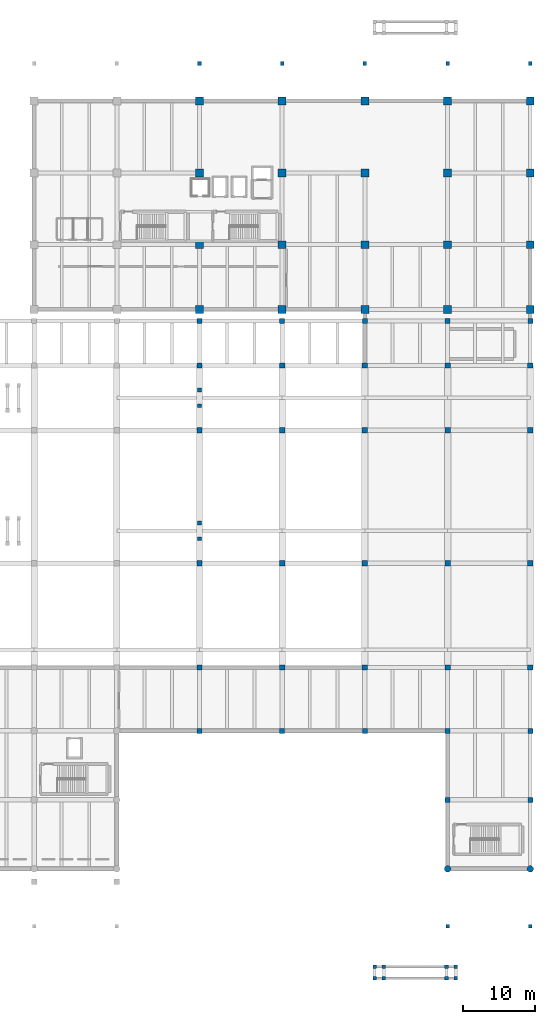
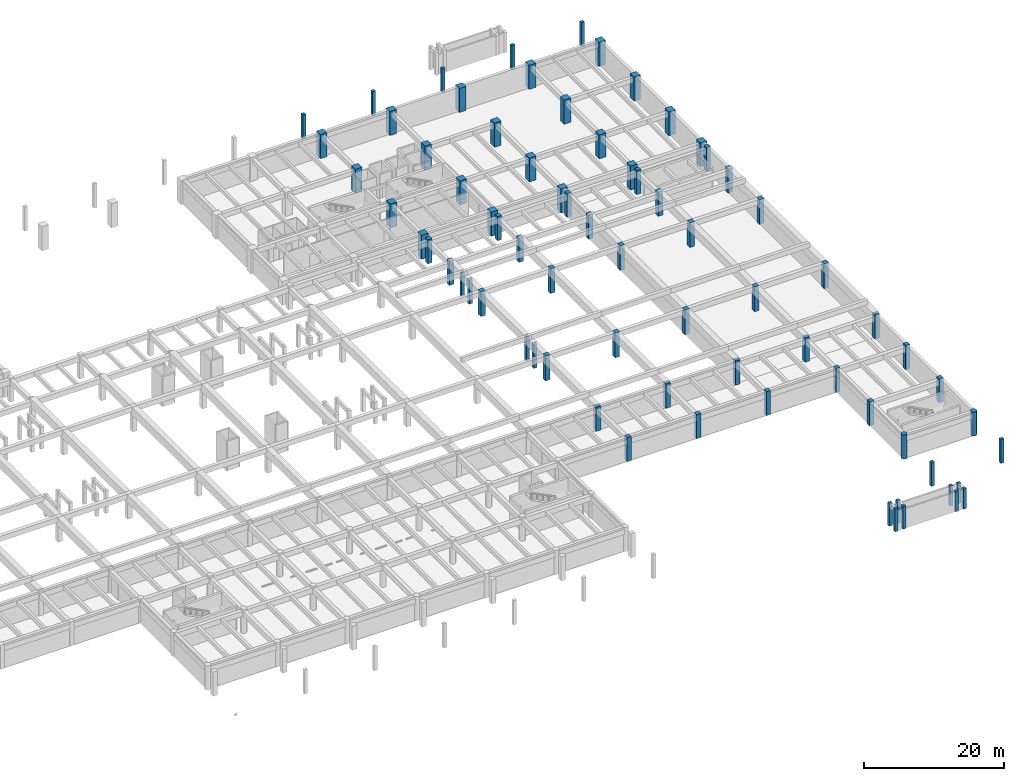
# One storey, part 2 of 20: 73 columns.
"""IFC4 building model written with IfcOpenShell, lengths in metres."""

from ifc_helpers import new_model, si_unit, direction, frame, origin, origin_2d, place, context, subcontext, project, spatial, rectangle, circle, extrude, material, material_profile, profile_set, type_object, element, save


model = new_model("IFC4")

# Units and contexts
model_context = context("Model", 3, precision=1e-05, world=origin(), true_north=direction((0.0, 1.0)))
body_context = subcontext(model_context, "Body", "Model", "MODEL_VIEW")
ifc_project = project(units=[si_unit("LENGTHUNIT", "METRE"), si_unit("AREAUNIT", "SQUARE_METRE"), si_unit("VOLUMEUNIT", "CUBIC_METRE"), si_unit("PLANEANGLEUNIT", "RADIAN"), si_unit("MASSUNIT", "GRAM", prefix="KILO")], contexts=[model_context])

# Site, building, storey
site_placement = place(None, origin())
site = spatial("IfcSite", under=ifc_project, at=site_placement, CompositionType="ELEMENT")
building_placement = place(site_placement, origin())
building = spatial("IfcBuilding", under=site, at=building_placement, Name="Ologun Quay Terminus", CompositionType="ELEMENT")
storey_placement = place(building_placement, frame((0.0, 0.0, -4.199951171875)))
storey = spatial("IfcBuildingStorey", under=building, at=storey_placement, Name="B01", CompositionType="ELEMENT", Elevation=-4.199951171875)

# Columns
ifc_material_1 = material(Name="Concrete C40/50", Category="concrete")
ifc_material_profile_1 = material_profile(ifc_material_1, rectangle(XDim=0.5, YDim=0.5, at=origin_2d()), Name="RC 500x500")
ifc_profile_set_1 = profile_set([ifc_material_profile_1], Name="Concrete C40/50")
column_type_1 = type_object("IfcColumnType", Name="Canopy Edge Column 500x500", PredefinedType="COLUMN", material=ifc_profile_set_1)
for number, where, z_axis, x_axis, name in (
    (1, (138.0, 120.0, 0.0), (0.0, 0.0, 1.0), (1.0, 0.0, 0.0), "C8 Column 13/L B01"),
    (2, (149.5, 120.0, 0.0), (0.0, 0.0, 1.0), (1.0, 0.0, 0.0), "C8 Column 14/L B01"),
    (3, (161.0, 120.0, 0.0), (0.0, 0.0, 1.0), (1.0, 0.0, 0.0), "C8 Column 15/L B01"),
    (4, (172.5, 0.0, 0.0), (0.0, 0.0, 1.0), (1.0, 0.0, 0.0), "C8 Column 16/A B01"),
    (5, (172.5, 120.0, 0.0), (0.0, 0.0, 1.0), (1.0, 0.0, 0.0), "C8 Column 16/L B01"),
    (6, (184.0, 0.0, 0.0), (0.0, 0.0, 1.0), (1.0, 0.0, 0.0), "C8 Column 17/A B01"),
    (7, (184.0, 120.0, 0.0), (0.0, 0.0, 1.0), (1.0, 0.0, 0.0), "C8 Column 17/L B01"),
):
    element("IfcColumn", number, at=place(storey_placement, frame(where, z_axis=z_axis, x_axis=x_axis)), inside=storey, type_object=column_type_1, Name=name, PredefinedType="COLUMN", context=body_context, shape_type="SweptSolid", body=[
        extrude(rectangle(XDim=0.5, YDim=0.5, at=origin_2d()), origin(), (0.0, 0.0, 1.0), 4.199951171875),
    ])
for number, where, z_axis, x_axis, name in (
    (8, (162.35009765625, -7.199951171875, 0.0), (0.0, 0.0, 1.0), (1.0, 0.0, 0.0), "C8 Ramp Landing Column 7WS B01"),
    (9, (162.35009765625, -5.60009765625, 0.0), (0.0, 0.0, 1.0), (1.0, 0.0, 0.0), "C8 Ramp Landing Column 7WN B01"),
    (10, (163.64990234375, -7.199951171875, 0.0), (0.0, 0.0, 1.0), (1.0, 0.0, 0.0), "C8 Ramp Landing Column 7ES B01"),
    (11, (163.64990234375, -5.60009765625, 0.0), (0.0, 0.0, 1.0), (1.0, 0.0, 0.0), "C8 Ramp Landing Column 7EN B01"),
):
    element("IfcColumn", number, at=place(storey_placement, frame(where, z_axis=z_axis, x_axis=x_axis)), inside=storey, type_object=column_type_1, Name=name, PredefinedType="COLUMN", context=body_context, shape_type="SweptSolid", body=[
        extrude(rectangle(XDim=0.5, YDim=0.5, at=origin_2d()), origin(), (0.0, 0.0, 1.0), 3.97998046875),
    ])
for number, where, z_axis, x_axis, name in (
    (12, (172.35009765625, -7.199951171875, 0.0), (0.0, 0.0, 1.0), (1.0, 0.0, 0.0), "C8 Ramp Landing Column 8WS B01"),
    (13, (172.35009765625, -5.60009765625, 0.0), (0.0, 0.0, 1.0), (1.0, 0.0, 0.0), "C8 Ramp Landing Column 8WN B01"),
    (14, (173.64990234375, -7.199951171875, 0.0), (0.0, 0.0, 1.0), (1.0, 0.0, 0.0), "C8 Ramp Landing Column 8ES B01"),
    (15, (173.64990234375, -5.60009765625, 0.0), (0.0, 0.0, 1.0), (1.0, 0.0, 0.0), "C8 Ramp Landing Column 8EN B01"),
):
    element("IfcColumn", number, at=place(storey_placement, frame(where, z_axis=z_axis, x_axis=x_axis)), inside=storey, type_object=column_type_1, Name=name, PredefinedType="COLUMN", context=body_context, shape_type="SweptSolid", body=[
        extrude(rectangle(XDim=0.5, YDim=0.5, at=origin_2d()), origin(), (0.0, 0.0, 1.0), 3.47998046875),
    ])
for number, where, z_axis, x_axis, name in (
    (16, (138.0, 53.89990234375, 0.0), (0.0, 0.0, 1.0), (1.0, 0.0, 0.0), "C8 Concourse Trimmer Column 13-1 B01"),
    (17, (138.0, 56.10009765625, 0.0), (0.0, 0.0, 1.0), (1.0, 0.0, 0.0), "C8 Concourse Trimmer Column 13-2 B01"),
    (18, (138.0, 72.39990234375, 0.0), (0.0, 0.0, 1.0), (1.0, 0.0, 0.0), "C8 Concourse Trimmer Column 13-3 B01"),
    (19, (138.0, 74.60009765625, 0.0), (0.0, 0.0, 1.0), (1.0, 0.0, 0.0), "C8 Concourse Trimmer Column 13-4 B01"),
):
    element("IfcColumn", number, at=place(storey_placement, frame(where, z_axis=z_axis, x_axis=x_axis)), inside=storey, type_object=column_type_1, Name=name, PredefinedType="COLUMN", context=body_context, shape_type="SweptSolid", body=[
        extrude(rectangle(XDim=0.5, YDim=0.5, at=origin_2d()), origin(), (0.0, 0.0, 1.0), 4.199951171875),
    ])
ifc_material_2 = material(Name="Concrete C45/55", Category="concrete")
ifc_material_profile_2 = material_profile(ifc_material_2, rectangle(XDim=1.10009765625, YDim=1.10009765625, at=origin_2d()), Name="RC 1100x1100")
ifc_profile_set_2 = profile_set([ifc_material_profile_2], Name="Concrete C45/55")
column_type_2 = type_object("IfcColumnType", Name="Courtyard Wing Lower Column 1100x1100", PredefinedType="COLUMN", material=ifc_profile_set_2)
for number, where, z_axis, x_axis, name in (
    (20, (138.0, 85.800048828125, 0.0), (0.0, 0.0, 1.0), (1.0, 0.0, 0.0), "C1 Column 13/G2 B01"),
    (21, (138.0, 94.800048828125, 0.0), (0.0, 0.0, 1.0), (1.0, 0.0, 0.0), "C1 Column 13/H B01"),
    (22, (138.0, 104.800048828125, 0.0), (0.0, 0.0, 1.0), (1.0, 0.0, 0.0), "C1 Column 13/J B01"),
    (23, (138.0, 114.800048828125, 0.0), (0.0, 0.0, 1.0), (1.0, 0.0, 0.0), "C1 Column 13/K B01"),
    (24, (149.5, 85.800048828125, 0.0), (0.0, 0.0, 1.0), (1.0, 0.0, 0.0), "C1 Column 14/G2 B01"),
    (25, (149.5, 94.800048828125, 0.0), (0.0, 0.0, 1.0), (1.0, 0.0, 0.0), "C1 Column 14/H B01"),
    (26, (149.5, 104.800048828125, 0.0), (0.0, 0.0, 1.0), (1.0, 0.0, 0.0), "C1 Column 14/J B01"),
    (27, (149.5, 114.800048828125, 0.0), (0.0, 0.0, 1.0), (1.0, 0.0, 0.0), "C1 Column 14/K B01"),
    (28, (161.0, 85.800048828125, 0.0), (0.0, 0.0, 1.0), (1.0, 0.0, 0.0), "C1 Column 15/G2 B01"),
    (29, (161.0, 94.800048828125, 0.0), (0.0, 0.0, 1.0), (1.0, 0.0, 0.0), "C1 Column 15/H B01"),
    (30, (161.0, 104.800048828125, 0.0), (0.0, 0.0, 1.0), (1.0, 0.0, 0.0), "C1 Column 15/J B01"),
    (31, (161.0, 114.800048828125, 0.0), (0.0, 0.0, 1.0), (1.0, 0.0, 0.0), "C1 Column 15/K B01"),
    (32, (172.5, 85.800048828125, 0.0), (0.0, 0.0, 1.0), (1.0, 0.0, 0.0), "C1 Column 16/G2 B01"),
    (33, (172.5, 94.800048828125, 0.0), (0.0, 0.0, 1.0), (1.0, 0.0, 0.0), "C1 Column 16/H B01"),
    (34, (172.5, 104.800048828125, 0.0), (0.0, 0.0, 1.0), (1.0, 0.0, 0.0), "C1 Column 16/J B01"),
    (35, (172.5, 114.800048828125, 0.0), (0.0, 0.0, 1.0), (1.0, 0.0, 0.0), "C1 Column 16/K B01"),
    (36, (184.0, 85.800048828125, 0.0), (0.0, 0.0, 1.0), (1.0, 0.0, 0.0), "C1 Column 17/G2 B01"),
    (37, (184.0, 94.800048828125, 0.0), (0.0, 0.0, 1.0), (1.0, 0.0, 0.0), "C1 Column 17/H B01"),
    (38, (184.0, 104.800048828125, 0.0), (0.0, 0.0, 1.0), (1.0, 0.0, 0.0), "C1 Column 17/J B01"),
    (39, (184.0, 114.800048828125, 0.0), (0.0, 0.0, 1.0), (1.0, 0.0, 0.0), "C1 Column 17/K B01"),
):
    element("IfcColumn", number, at=place(storey_placement, frame(where, z_axis=z_axis, x_axis=x_axis)), inside=storey, type_object=column_type_2, Name=name, PredefinedType="COLUMN", context=body_context, shape_type="SweptSolid", body=[
        extrude(rectangle(XDim=1.10009765625, YDim=1.10009765625, at=origin_2d()), origin(), (0.0, 0.0, 1.0), 4.199951171875),
    ])
ifc_material_3 = material(Name="Concrete C45/55", Category="concrete")
ifc_material_profile_3 = material_profile(ifc_material_3, rectangle(XDim=0.75, YDim=0.75, at=origin_2d()), Name="RC 750x750")
ifc_profile_set_3 = profile_set([ifc_material_profile_3], Name="Concrete C45/55")
column_type_3 = type_object("IfcColumnType", Name="Station Arch Pier Stem 750x750", PredefinedType="COLUMN", material=ifc_profile_set_3)
for number, where, z_axis, x_axis, name in (
    (40, (138.0, 36.0, 0.0), (0.0, 0.0, 1.0), (1.0, 0.0, 0.0), "C5 Column 13/E B01"),
    (41, (138.0, 78.0, 0.0), (0.0, 0.0, 1.0), (1.0, 0.0, 0.0), "C5 Column 13/F B01"),
    (42, (149.5, 36.0, 0.0), (0.0, 0.0, 1.0), (1.0, 0.0, 0.0), "C5 Column 14/E B01"),
    (43, (149.5, 78.0, 0.0), (0.0, 0.0, 1.0), (1.0, 0.0, 0.0), "C5 Column 14/F B01"),
    (44, (161.0, 36.0, 0.0), (0.0, 0.0, 1.0), (1.0, 0.0, 0.0), "C5 Column 15/E B01"),
    (45, (161.0, 78.0, 0.0), (0.0, 0.0, 1.0), (1.0, 0.0, 0.0), "C5 Column 15/F B01"),
    (46, (172.5, 36.0, 0.0), (0.0, 0.0, 1.0), (1.0, 0.0, 0.0), "C5 Column 16/E B01"),
    (47, (172.5, 78.0, 0.0), (0.0, 0.0, 1.0), (1.0, 0.0, 0.0), "C5 Column 16/F B01"),
    (48, (184.0, 36.0, 0.0), (0.0, 0.0, 1.0), (1.0, 0.0, 0.0), "C5 Column 17/E B01"),
    (49, (184.0, 78.0, 0.0), (0.0, 0.0, 1.0), (1.0, 0.0, 0.0), "C5 Column 17/F B01"),
):
    element("IfcColumn", number, at=place(storey_placement, frame(where, z_axis=z_axis, x_axis=x_axis)), inside=storey, type_object=column_type_3, Name=name, PredefinedType="COLUMN", context=body_context, shape_type="SweptSolid", body=[
        extrude(rectangle(XDim=0.75, YDim=0.75, at=origin_2d()), origin(), (0.0, 0.0, 1.0), 4.199951171875),
    ])
for number, where, z_axis, x_axis, name in (
    (50, (138.0, 50.5, 0.0), (0.0, 0.0, 1.0), (1.0, 0.0, 0.0), "C5 Track Substructure Column 13-Y50 B01"),
    (51, (138.0, 69.0, 0.0), (0.0, 0.0, 1.0), (1.0, 0.0, 0.0), "C5 Track Substructure Column 13-Y69 B01"),
    (52, (149.5, 50.5, 0.0), (0.0, 0.0, 1.0), (1.0, 0.0, 0.0), "C5 Track Substructure Column 14-Y50 B01"),
    (53, (149.5, 69.0, 0.0), (0.0, 0.0, 1.0), (1.0, 0.0, 0.0), "C5 Track Substructure Column 14-Y69 B01"),
    (54, (161.0, 50.5, 0.0), (0.0, 0.0, 1.0), (1.0, 0.0, 0.0), "C5 Track Substructure Column 15-Y50 B01"),
    (55, (161.0, 69.0, 0.0), (0.0, 0.0, 1.0), (1.0, 0.0, 0.0), "C5 Track Substructure Column 15-Y69 B01"),
    (56, (172.5, 50.5, 0.0), (0.0, 0.0, 1.0), (1.0, 0.0, 0.0), "C5 Track Substructure Column 16-Y50 B01"),
    (57, (172.5, 69.0, 0.0), (0.0, 0.0, 1.0), (1.0, 0.0, 0.0), "C5 Track Substructure Column 16-Y69 B01"),
    (58, (184.0, 50.5, 0.0), (0.0, 0.0, 1.0), (1.0, 0.0, 0.0), "C5 Track Substructure Column 17-Y50 B01"),
    (59, (184.0, 69.0, 0.0), (0.0, 0.0, 1.0), (1.0, 0.0, 0.0), "C5 Track Substructure Column 17-Y69 B01"),
):
    element("IfcColumn", number, at=place(storey_placement, frame(where, z_axis=z_axis, x_axis=x_axis)), inside=storey, type_object=column_type_3, Name=name, PredefinedType="COLUMN", context=body_context, shape_type="SweptSolid", body=[
        extrude(rectangle(XDim=0.75, YDim=0.75, at=origin_2d()), origin(), (0.0, 0.0, 1.0), 4.349853515625),
    ])
ifc_material_4 = material(Name="Concrete C40/50", Category="concrete")
ifc_material_profile_4 = material_profile(ifc_material_4, rectangle(XDim=0.699951171875, YDim=0.699951171875, at=origin_2d()), Name="RC 700x700")
ifc_profile_set_4 = profile_set([ifc_material_profile_4], Name="Concrete C40/50")
column_type_4 = type_object("IfcColumnType", Name="Station Concourse Column 700x700", PredefinedType="COLUMN", material=ifc_profile_set_4)
for number, where, z_axis, x_axis, name in (
    (60, (138.0, 27.199951171875, 0.0), (0.0, 0.0, 1.0), (1.0, 0.0, 0.0), "C6 Column 13/D B01"),
    (61, (138.0, 84.199951171875, 0.0), (0.0, 0.0, 1.0), (1.0, 0.0, 0.0), "C6 Column 13/G1 B01"),
    (62, (149.5, 27.199951171875, 0.0), (0.0, 0.0, 1.0), (1.0, 0.0, 0.0), "C6 Column 14/D B01"),
    (63, (149.5, 84.199951171875, 0.0), (0.0, 0.0, 1.0), (1.0, 0.0, 0.0), "C6 Column 14/G1 B01"),
    (64, (161.0, 27.199951171875, 0.0), (0.0, 0.0, 1.0), (1.0, 0.0, 0.0), "C6 Column 15/D B01"),
    (65, (161.0, 84.199951171875, 0.0), (0.0, 0.0, 1.0), (1.0, 0.0, 0.0), "C6 Column 15/G1 B01"),
    (66, (172.5, 17.60009765625, 0.0), (0.0, 0.0, 1.0), (1.0, 0.0, 0.0), "C6 Column 16/C B01"),
    (67, (172.5, 27.199951171875, 0.0), (0.0, 0.0, 1.0), (1.0, 0.0, 0.0), "C6 Column 16/D B01"),
    (68, (172.5, 84.199951171875, 0.0), (0.0, 0.0, 1.0), (1.0, 0.0, 0.0), "C6 Column 16/G1 B01"),
    (69, (184.0, 17.60009765625, 0.0), (0.0, 0.0, 1.0), (1.0, 0.0, 0.0), "C6 Column 17/C B01"),
    (70, (184.0, 27.199951171875, 0.0), (0.0, 0.0, 1.0), (1.0, 0.0, 0.0), "C6 Column 17/D B01"),
    (71, (184.0, 84.199951171875, 0.0), (0.0, 0.0, 1.0), (1.0, 0.0, 0.0), "C6 Column 17/G1 B01"),
):
    element("IfcColumn", number, at=place(storey_placement, frame(where, z_axis=z_axis, x_axis=x_axis)), inside=storey, type_object=column_type_4, Name=name, PredefinedType="COLUMN", context=body_context, shape_type="SweptSolid", body=[
        extrude(rectangle(XDim=0.699951171875, YDim=0.699951171875, at=origin_2d()), origin(), (0.0, 0.0, 1.0), 4.199951171875),
    ])
ifc_material_5 = material(Name="Concrete C45/55", Category="concrete")
ifc_material_profile_5 = material_profile(ifc_material_5, circle(Radius=0.449951171875, at=origin_2d()), Name="RC D900")
ifc_profile_set_5 = profile_set([ifc_material_profile_5], Name="Concrete C45/55")
column_type_5 = type_object("IfcColumnType", Name="Ticket Hall Sculpted Circular Column D900", PredefinedType="COLUMN", material=ifc_profile_set_5)
for number, where, z_axis, x_axis, name in (
    (72, (172.5, 8.0, 0.0), (0.0, 0.0, 1.0), (1.0, 0.0, 0.0), "C9 Column 16/B B01"),
    (73, (184.0, 8.0, 0.0), (0.0, 0.0, 1.0), (1.0, 0.0, 0.0), "C9 Column 17/B B01"),
):
    element("IfcColumn", number, at=place(storey_placement, frame(where, z_axis=z_axis, x_axis=x_axis)), inside=storey, type_object=column_type_5, Name=name, PredefinedType="COLUMN", context=body_context, shape_type="SweptSolid", body=[
        extrude(circle(Radius=0.449951171875, at=origin_2d()), origin(), (0.0, 0.0, 1.0), 4.199951171875),
    ])

save(model, "model.ifc")
